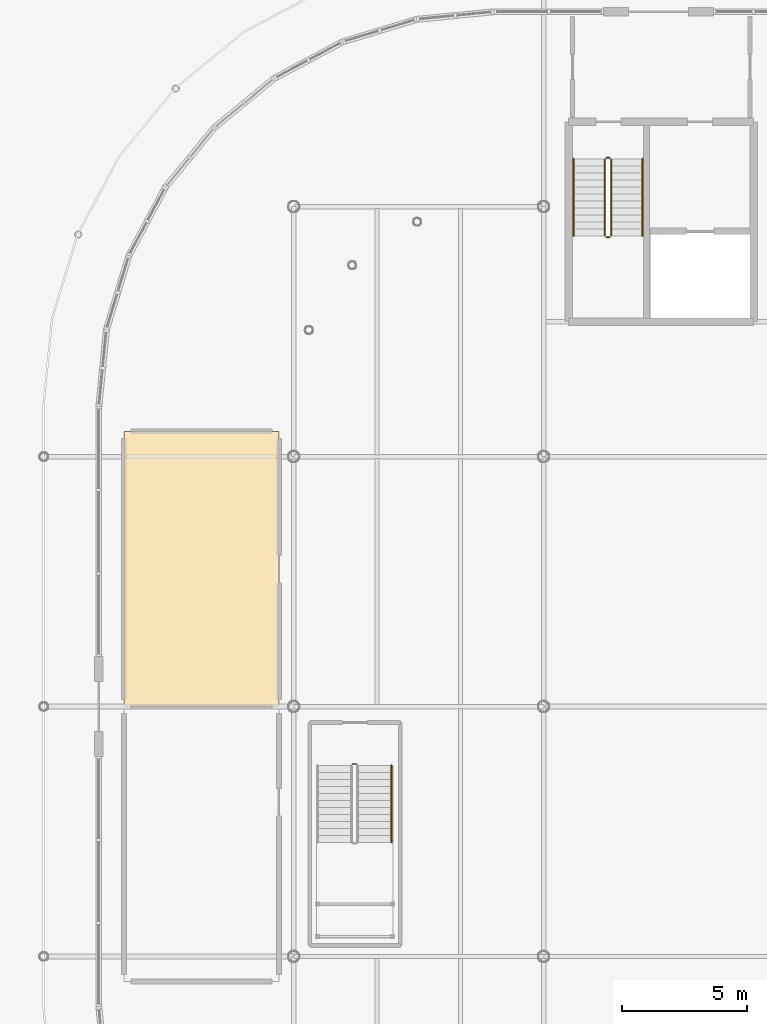
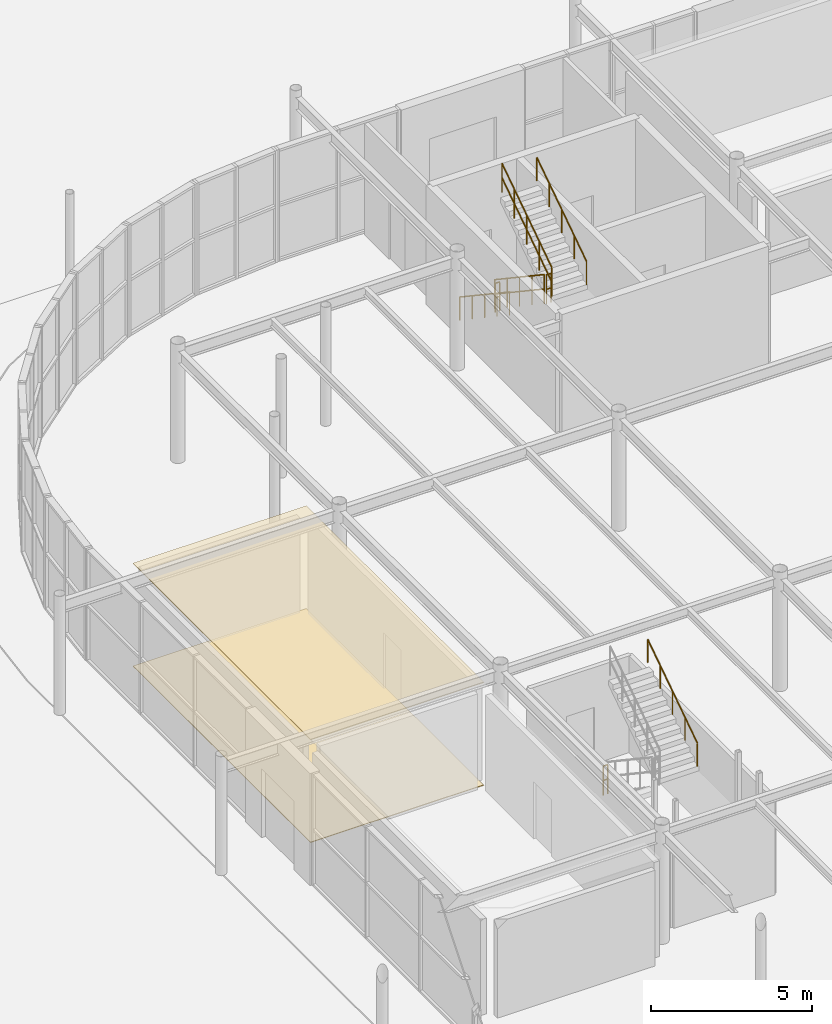
# One storey, part 107 of 119: 8 railings, 2 coverings.
"""IFC4 building model written with IfcOpenShell, lengths in metres."""

from ifc_helpers import new_model, si_unit, derived_unit, direction, frame, origin, origin_2d_with_axis, place, context, subcontext, project, spatial, polyline, circle, outline, extrude, material, layer, layer_set, type_object, element, save


model = new_model("IFC4")

# Units and contexts
model_context = context("Model", 3, precision=1e-05, world=origin(), true_north=direction((0.0, 1.0)))
body_context = subcontext(model_context, "Body", "Model", "MODEL_VIEW")
ifc_project = project(units=[si_unit("LENGTHUNIT", "METRE"), si_unit("AREAUNIT", "SQUARE_METRE"), si_unit("VOLUMEUNIT", "CUBIC_METRE"), si_unit("PLANEANGLEUNIT", "RADIAN"), si_unit("MASSUNIT", "GRAM", prefix="KILO"), derived_unit("THERMALTRANSMITTANCEUNIT", [(si_unit("POWERUNIT", "WATT"), 1), (si_unit("LENGTHUNIT", "METRE"), -2), (si_unit("THERMODYNAMICTEMPERATUREUNIT", "KELVIN"), -1)])], contexts=[model_context])

# Site, building, storey
site_placement = place(None, origin())
site = spatial("IfcSite", under=ifc_project, at=site_placement, CompositionType="ELEMENT")
building_placement = place(site_placement, origin())
building = spatial("IfcBuilding", under=site, at=building_placement, Name="Cinnabar Yard Market Hall", CompositionType="ELEMENT")
storey_placement = place(building_placement, origin())
storey = spatial("IfcBuildingStorey", under=building, at=storey_placement, Name="L00", CompositionType="ELEMENT", Elevation=0.0)

# Coverings
ifc_material_1 = material(Name="Perforated acoustic spotted-gum timber slats", Category="wood")
ifc_layer_1 = layer(ifc_material_1, 0.0400390625)
ifc_layer_set_1 = layer_set([ifc_layer_1], Name="Perforated acoustic spotted-gum timber slats")
covering_type_1 = type_object("IfcCoveringType", Name="COV-CLG1", PredefinedType="CEILING", material=ifc_layer_set_1)
covering_1_placement = place(storey_placement, frame((0.0, 0.0, 3.8798828125)))
element("IfcCovering", 1, at=covering_1_placement, inside=storey, type_object=covering_type_1, Name="Ceiling Confectionery and Coffee Stall 10", PredefinedType="CEILING", context=body_context, shape_type="SweptSolid", body=[
    extrude(outline(polyline([(69.199951171875, 44.0), (75.39990234375, 44.0), (75.39990234375, 55.0), (69.199951171875, 55.0), (69.199951171875, 44.0)])), origin(), (0.0, 0.0, 1.0), 0.03515625),
])
ifc_material_2 = material(Name="Slip-resistant commercial quarry tile")
ifc_layer_2 = layer(ifc_material_2, 0.02490234375)
ifc_layer_set_2 = layer_set([ifc_layer_2], Name="Slip-resistant commercial quarry tile")
covering_type_2 = type_object("IfcCoveringType", Name="COV-FLR2", PredefinedType="FLOORING", material=ifc_layer_set_2)
covering_2_placement = place(storey_placement, origin())
element("IfcCovering", 2, at=covering_2_placement, inside=storey, type_object=covering_type_2, Name="Flooring Confectionery and Coffee Stall 10", PredefinedType="FLOORING", context=body_context, shape_type="SweptSolid", body=[
    extrude(outline(polyline([(69.199951171875, 44.0), (75.39990234375, 44.0), (75.39990234375, 55.0), (69.199951171875, 55.0), (69.199951171875, 44.0)])), origin(), (0.0, 0.0, 1.0), 0.02490234375),
])

# Railings
ifc_material_3 = material(Name="Laminated glass and bronze handrail", Category="glass")
ifc_layer_3 = layer(ifc_material_3, 0.070068359375)
ifc_layer_set_3 = layer_set([ifc_layer_3], Name="Laminated glass and bronze handrail")
railing_type_1 = type_object("IfcRailingType", Name="RL-G01", PredefinedType="BALUSTRADE", material=ifc_layer_set_3)
railing_1_placement = place(storey_placement, frame((78.35009765625, 41.699951171875, 0.0)))
element("IfcRailing", 3, at=railing_1_placement, inside=storey, type_object=railing_type_1, Name="L00 ST-F1 stair guard 4", PredefinedType="BALUSTRADE", context=body_context, shape_type="SweptSolid", body=[
    extrude(circle(Radius=0.02392578125, at=origin_2d_with_axis()), frame((0.0, 0.0, 1.09619140625), z_axis=(1.0, 0.0, 0.0), x_axis=(0.0, 1.0, 0.0)), (0.0, 0.0, 1.0), 0.159912109375),
    extrude(circle(Radius=0.02392578125, at=origin_2d_with_axis()), frame((0.0, 0.0, 0.550048828125), z_axis=(1.0, 0.0, 0.0), x_axis=(0.0, 1.0, 0.0)), (0.0, 0.0, 1.0), 0.159912109375),
    extrude(circle(Radius=0.02099609375, at=origin_2d_with_axis()), origin(), (0.0, 0.0, 1.0), 1.072021484375),
    extrude(circle(Radius=0.02099609375, at=origin_2d_with_axis()), frame((0.159912109375, 0.0, 0.0)), (0.0, 0.0, 1.0), 1.072021484375),
])
ifc_material_4 = material(Name="Galvanised steel Grade 300 (300 MPa) guardrail", Category="steel")
ifc_layer_4 = layer(ifc_material_4, 0.06005859375)
ifc_layer_set_4 = layer_set([ifc_layer_4], Name="Galvanised steel Grade 300 (300 MPa) guardrail")
railing_type_2 = type_object("IfcRailingType", Name="RL-G03", PredefinedType="GUARDRAIL", material=ifc_layer_set_4)
railing_2_placement = place(storey_placement, frame((88.43994140625, 65.909912109375, 0.1875)))
element("IfcRailing", 4, at=railing_2_placement, inside=storey, type_object=railing_type_2, Name="L00 ST-C3 stair guard 1", PredefinedType="GUARDRAIL", context=body_context, shape_type="SweptSolid", body=[
    extrude(circle(Radius=0.02392578125, at=origin_2d_with_axis()), frame((0.0, 0.0, 1.09619140625), z_axis=(0.0, -0.830893310487, 0.556431762742), x_axis=(1.0, 0.0, 0.0)), (0.0, 0.0, 1.0), 3.70654296875),
    extrude(circle(Radius=0.02392578125, at=origin_2d_with_axis()), frame((0.0, 0.0, 0.550048828125), z_axis=(0.0, -0.830893310487, 0.556431762742), x_axis=(1.0, 0.0, 0.0)), (0.0, 0.0, 1.0), 3.70654296875),
    extrude(circle(Radius=0.02099609375, at=origin_2d_with_axis()), origin(), (0.0, 0.0, 1.0), 1.072021484375),
    extrude(circle(Radius=0.02099609375, at=origin_2d_with_axis()), frame((0.0, -0.77001953125, 0.515625)), (0.0, 0.0, 1.0), 1.072021484375),
    extrude(circle(Radius=0.02099609375, at=origin_2d_with_axis()), frame((0.0, -1.5400390625, 1.03125)), (0.0, 0.0, 1.0), 1.072021484375),
    extrude(circle(Radius=0.02099609375, at=origin_2d_with_axis()), frame((0.0, -2.309814453125, 1.546875)), (0.0, 0.0, 1.0), 1.072021484375),
    extrude(circle(Radius=0.02099609375, at=origin_2d_with_axis()), frame((0.0, -3.079833984375, 2.0625)), (0.0, 0.0, 1.0), 1.072021484375),
])
railing_3_placement = place(storey_placement, frame((88.489990234375, 62.780029296875, 2.25)))
element("IfcRailing", 5, at=railing_3_placement, inside=storey, type_object=railing_type_2, Name="L00 ST-C3 stair guard 2", PredefinedType="GUARDRAIL", context=body_context, shape_type="SweptSolid", body=[
    extrude(circle(Radius=0.02392578125, at=origin_2d_with_axis()), frame((0.0, 0.0, 1.09619140625), z_axis=(1.0, 0.0, 0.0), x_axis=(0.0, 1.0, 0.0)), (0.0, 0.0, 1.0), 0.159912109375),
    extrude(circle(Radius=0.02392578125, at=origin_2d_with_axis()), frame((0.0, 0.0, 0.550048828125), z_axis=(1.0, 0.0, 0.0), x_axis=(0.0, 1.0, 0.0)), (0.0, 0.0, 1.0), 0.159912109375),
    extrude(circle(Radius=0.02099609375, at=origin_2d_with_axis()), origin(), (0.0, 0.0, 1.0), 1.072021484375),
    extrude(circle(Radius=0.02099609375, at=origin_2d_with_axis()), frame((0.159912109375, 0.0, 0.0)), (0.0, 0.0, 1.0), 1.072021484375),
])
railing_4_placement = place(storey_placement, frame((88.699951171875, 62.830078125, 2.4375)))
element("IfcRailing", 6, at=railing_4_placement, inside=storey, type_object=railing_type_2, Name="L00 ST-C3 stair guard 3", PredefinedType="GUARDRAIL", context=body_context, shape_type="SweptSolid", body=[
    extrude(circle(Radius=0.02392578125, at=origin_2d_with_axis()), frame((0.0, 0.0, 1.09619140625), z_axis=(0.0, 0.830893310487, 0.556431762742), x_axis=(-1.0, 0.0, 0.0)), (0.0, 0.0, 1.0), 3.70654296875),
    extrude(circle(Radius=0.02392578125, at=origin_2d_with_axis()), frame((0.0, 0.0, 0.550048828125), z_axis=(0.0, 0.830893310487, 0.556431762742), x_axis=(-1.0, 0.0, 0.0)), (0.0, 0.0, 1.0), 3.70654296875),
    extrude(circle(Radius=0.02099609375, at=origin_2d_with_axis()), origin(), (0.0, 0.0, 1.0), 1.072021484375),
    extrude(circle(Radius=0.02099609375, at=origin_2d_with_axis()), frame((0.0, 0.77001953125, 0.515625)), (0.0, 0.0, 1.0), 1.072021484375),
    extrude(circle(Radius=0.02099609375, at=origin_2d_with_axis()), frame((0.0, 1.5400390625, 1.03125)), (0.0, 0.0, 1.0), 1.072021484375),
    extrude(circle(Radius=0.02099609375, at=origin_2d_with_axis()), frame((0.0, 2.309814453125, 1.546875)), (0.0, 0.0, 1.0), 1.072021484375),
    extrude(circle(Radius=0.02099609375, at=origin_2d_with_axis()), frame((0.0, 3.079833984375, 2.0625)), (0.0, 0.0, 1.0), 1.072021484375),
])
railing_5_placement = place(storey_placement, frame((88.489990234375, 65.9599609375, 0.0)))
element("IfcRailing", 7, at=railing_5_placement, inside=storey, type_object=railing_type_2, Name="L00 ST-C3 stair guard 4", PredefinedType="GUARDRAIL", context=body_context, shape_type="SweptSolid", body=[
    extrude(circle(Radius=0.02392578125, at=origin_2d_with_axis()), frame((0.0, 0.0, 1.09619140625), z_axis=(1.0, 0.0, 0.0), x_axis=(0.0, 1.0, 0.0)), (0.0, 0.0, 1.0), 0.159912109375),
    extrude(circle(Radius=0.02392578125, at=origin_2d_with_axis()), frame((0.0, 0.0, 0.550048828125), z_axis=(1.0, 0.0, 0.0), x_axis=(0.0, 1.0, 0.0)), (0.0, 0.0, 1.0), 0.159912109375),
    extrude(circle(Radius=0.02099609375, at=origin_2d_with_axis()), origin(), (0.0, 0.0, 1.0), 1.072021484375),
    extrude(circle(Radius=0.02099609375, at=origin_2d_with_axis()), frame((0.159912109375, 0.0, 0.0)), (0.0, 0.0, 1.0), 1.072021484375),
])
ifc_material_5 = material(Name="Brushed stainless steel handrail", Category="steel")
ifc_layer_5 = layer(ifc_material_5, 0.050048828125)
ifc_layer_set_5 = layer_set([ifc_layer_5], Name="Brushed stainless steel handrail")
railing_type_3 = type_object("IfcRailingType", Name="RL-HR1", PredefinedType="HANDRAIL", material=ifc_layer_set_5)
railing_6_placement = place(storey_placement, frame((87.18994140625, 65.909912109375, 0.1875)))
element("IfcRailing", 8, at=railing_6_placement, inside=storey, type_object=railing_type_3, Name="L00 ST-C3 stair handrail 1", PredefinedType="HANDRAIL", context=body_context, shape_type="SweptSolid", body=[
    extrude(circle(Radius=0.02392578125, at=origin_2d_with_axis()), frame((0.0, 0.0, 0.8759765625), z_axis=(0.0, -0.830893310487, 0.556431762742), x_axis=(1.0, 0.0, 0.0)), (0.0, 0.0, 1.0), 3.70654296875),
    extrude(circle(Radius=0.02099609375, at=origin_2d_with_axis()), origin(), (0.0, 0.0, 1.0), 0.851806640625),
    extrude(circle(Radius=0.02099609375, at=origin_2d_with_axis()), frame((0.0, -0.77001953125, 0.515625)), (0.0, 0.0, 1.0), 0.851806640625),
    extrude(circle(Radius=0.02099609375, at=origin_2d_with_axis()), frame((0.0, -1.5400390625, 1.03125)), (0.0, 0.0, 1.0), 0.851806640625),
    extrude(circle(Radius=0.02099609375, at=origin_2d_with_axis()), frame((0.0, -2.309814453125, 1.546875)), (0.0, 0.0, 1.0), 0.851806640625),
    extrude(circle(Radius=0.02099609375, at=origin_2d_with_axis()), frame((0.0, -3.079833984375, 2.0625)), (0.0, 0.0, 1.0), 0.851806640625),
])
for number, where, name in (
    (9, (89.949951171875, 62.830078125, 2.4375), "L00 ST-C3 stair handrail 2"),
    (10, (79.909912109375, 38.570068359375, 2.4375), "L00 ST-F1 stair handrail 2"),
):
    element("IfcRailing", number, at=place(storey_placement, frame(where)), inside=storey, type_object=railing_type_3, Name=name, PredefinedType="HANDRAIL", context=body_context, shape_type="SweptSolid", body=[
        extrude(circle(Radius=0.02392578125, at=origin_2d_with_axis()), frame((0.0, 0.0, 0.8759765625), z_axis=(0.0, 0.830893310487, 0.556431762742), x_axis=(-1.0, 0.0, 0.0)), (0.0, 0.0, 1.0), 3.70654296875),
        extrude(circle(Radius=0.02099609375, at=origin_2d_with_axis()), origin(), (0.0, 0.0, 1.0), 0.851806640625),
        extrude(circle(Radius=0.02099609375, at=origin_2d_with_axis()), frame((0.0, 0.77001953125, 0.515625)), (0.0, 0.0, 1.0), 0.851806640625),
        extrude(circle(Radius=0.02099609375, at=origin_2d_with_axis()), frame((0.0, 1.5400390625, 1.03125)), (0.0, 0.0, 1.0), 0.851806640625),
        extrude(circle(Radius=0.02099609375, at=origin_2d_with_axis()), frame((0.0, 2.309814453125, 1.546875)), (0.0, 0.0, 1.0), 0.851806640625),
        extrude(circle(Radius=0.02099609375, at=origin_2d_with_axis()), frame((0.0, 3.079833984375, 2.0625)), (0.0, 0.0, 1.0), 0.851806640625),
    ])

save(model, "model.ifc")
